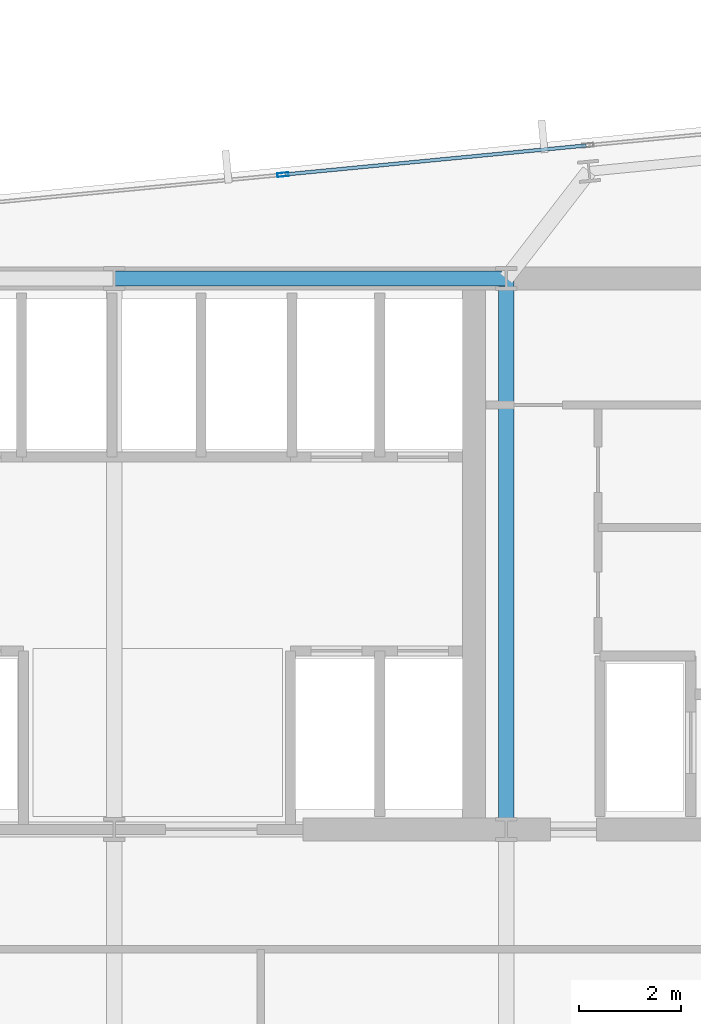
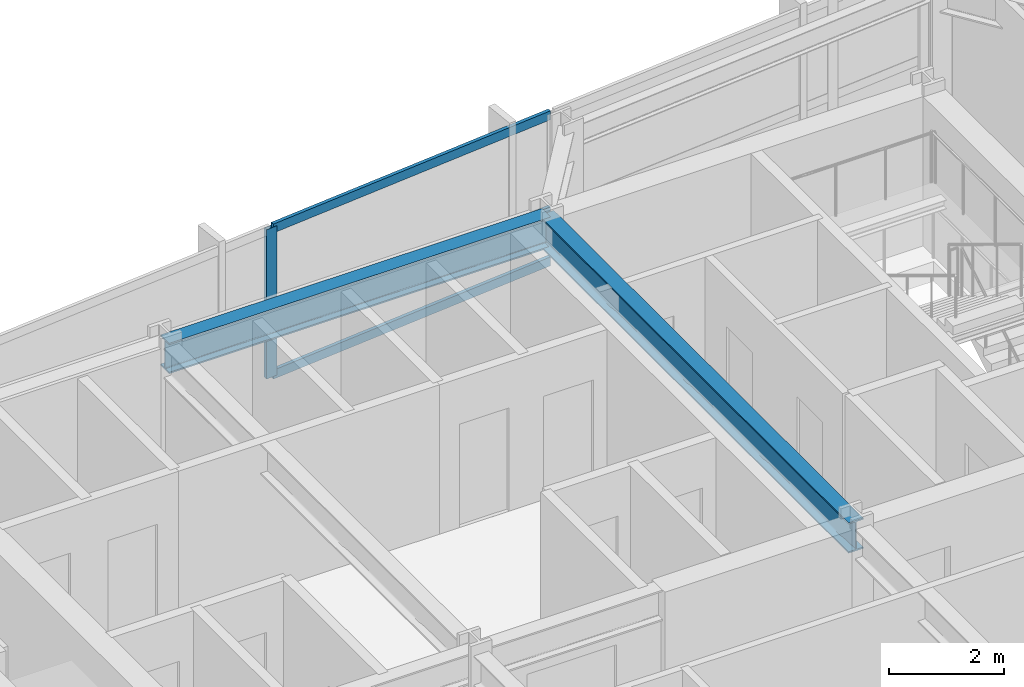
# One storey, part 20 of 33: 4 members, 2 beams, 1 element without a shape of its own.
"""IFC4 building model written with IfcOpenShell, lengths in metres."""

from ifc_helpers import new_model, si_unit, direction, frame, origin, origin_2d, place, context, subcontext, project, spatial, hollow_rectangle, i_section, extrude, material, material_profile, profile_set, type_object, element, aggregate, save


model = new_model("IFC4")

# Units and contexts
model_context = context("Model", 3, precision=1e-05, world=origin(), true_north=direction((0.0, 1.0)))
body_context = subcontext(model_context, "Body", "Model", "MODEL_VIEW")
ifc_project = project(units=[si_unit("LENGTHUNIT", "METRE"), si_unit("AREAUNIT", "SQUARE_METRE"), si_unit("VOLUMEUNIT", "CUBIC_METRE"), si_unit("PLANEANGLEUNIT", "RADIAN"), si_unit("MASSUNIT", "GRAM", prefix="KILO")], contexts=[model_context])

# Site, building, storey
site_placement = place(None, origin())
site = spatial("IfcSite", under=ifc_project, at=site_placement, CompositionType="ELEMENT")
building_placement = place(site_placement, origin())
building = spatial("IfcBuilding", under=site, at=building_placement, Name="Yelkora Congress Tower", CompositionType="ELEMENT")
storey_placement = place(building_placement, frame((0.0, 0.0, 89.699951171875)))
storey = spatial("IfcBuildingStorey", under=building, at=storey_placement, Name="L23", CompositionType="ELEMENT", Elevation=89.699951171875)

# Beams
ifc_material_1 = material(Name="Steel S355J2", Category="steel")
ifc_material_profile_1 = material_profile(ifc_material_1, i_section(OverallWidth=0.300048828125, OverallDepth=0.64990234375, WebThickness=0.01611328125, FlangeThickness=0.031005859375, FilletRadius=0.027099609375, at=origin_2d()), Name="HEB 650")
ifc_profile_set_1 = profile_set([ifc_material_profile_1], Name="Steel S355J2")
beam_type = type_object("IfcBeamType", Name="BM-GIRD-HEB650", PredefinedType="BEAM", material=ifc_profile_set_1)
beam_1_placement = place(storey_placement, frame((38.39990234375, 46.199951171875, 2.85498046875), z_axis=(1.0, 0.0, 0.0), x_axis=(0.0, 1.0, 0.0)))
element("IfcBeam", 1, at=beam_1_placement, inside=storey, type_object=beam_type, Name="L23 Core North Girder 4", PredefinedType="BEAM", context=body_context, shape_type="SweptSolid", body=[
    extrude(i_section(OverallWidth=0.300048828125, OverallDepth=0.64990234375, WebThickness=0.01611328125, FlangeThickness=0.031005859375, FilletRadius=0.027099609375, at=origin_2d()), origin(), (0.0, 0.0, 1.0), 7.68017578125),
])
beam_2_placement = place(storey_placement, frame((46.080078125, 35.39990234375, 2.85498046875), z_axis=(0.0, 1.0, 0.0), x_axis=(-1.0, 0.0, 0.0)))
element("IfcBeam", 2, at=beam_2_placement, inside=storey, type_object=beam_type, Name="L23 Core Tie Girder MC-S4", PredefinedType="BEAM", context=body_context, shape_type="SweptSolid", body=[
    extrude(i_section(OverallWidth=0.300048828125, OverallDepth=0.64990234375, WebThickness=0.01611328125, FlangeThickness=0.031005859375, FilletRadius=0.027099609375, at=origin_2d()), origin(), (0.0, 0.0, 1.0), 10.800048828125),
])

# Curtain wall, members
ifc_material_2 = material(Name="Anodised aluminium and insulated glass", Category="aluminium")
curtain_wall_type = type_object("IfcCurtainWallType", Name="CW-SYS-SKY", PredefinedType="NOTDEFINED", material=ifc_material_2)
curtain_wall_placement = place(storey_placement, origin())
curtain_wall = element("IfcCurtainWall", 3, at=curtain_wall_placement, inside=storey, type_object=curtain_wall_type, Name="L23 Unitised Curtain Wall 10 (3)", PredefinedType="NOTDEFINED")
ifc_material_3 = material(Name="Anodised aluminium 6063-T6", Category="aluminium")
ifc_material_profile_2 = material_profile(ifc_material_3, hollow_rectangle(XDim=0.074951171875, YDim=0.219970703125, WallThickness=0.0048828125, at=origin_2d()), Name="ALU 75x220x5")
ifc_profile_set_2 = profile_set([ifc_material_profile_2], Name="Anodised aluminium 6063-T6")
member_type_1 = type_object("IfcMemberType", Name="MEM-ML-SKY", PredefinedType="MULLION", material=ifc_profile_set_2)
member_1_placement = place(storey_placement, frame((41.704345703125, 48.235107421875, 0.0), z_axis=(0.0, 0.0, 1.0), x_axis=(-0.095845465919, 0.995396225964, 0.0)))
member_1 = element("IfcMember", 4, at=member_1_placement, type_object=member_type_1, Name="CW-SKY mullion 4", PredefinedType="MULLION", context=body_context, shape_type="SweptSolid", body=[
    extrude(hollow_rectangle(XDim=0.074951171875, YDim=0.219970703125, WallThickness=0.0048828125, at=origin_2d()), origin(), (0.0, 0.0, 1.0), 3.179931640625),
])
ifc_material_profile_3 = material_profile(ifc_material_3, hollow_rectangle(XDim=0.070068359375, YDim=0.18994140625, WallThickness=0.00390625, at=origin_2d()), Name="ALU 70x190x4")
ifc_profile_set_3 = profile_set([ifc_material_profile_3], Name="Anodised aluminium 6063-T6")
member_type_2 = type_object("IfcMemberType", Name="MEM-TR-SKY", PredefinedType="USERDEFINED", material=ifc_profile_set_3)
member_2_placement = place(storey_placement, frame((41.74169921875, 48.23876953125, 0.03515625), z_axis=(0.995395073872, 0.095857430135, 0.0), x_axis=(-0.095857430135, 0.995395073872, 0.0)))
member_2 = element("IfcMember", 5, at=member_2_placement, type_object=member_type_2, Name="CW-SKY transom 4.1", ObjectType="TRANSOM", PredefinedType="USERDEFINED", context=body_context, shape_type="SweptSolid", body=[
    extrude(hollow_rectangle(XDim=0.070068359375, YDim=0.18994140625, WallThickness=0.00390625, at=origin_2d()), origin(), (0.0, 0.0, 1.0), 5.934326171875),
])
member_3_placement = place(storey_placement, frame((41.74169921875, 48.23876953125, 1.10009765625), z_axis=(0.995395073872, 0.095857430135, 0.0), x_axis=(-0.095857430135, 0.995395073872, 0.0)))
member_3 = element("IfcMember", 6, at=member_3_placement, type_object=member_type_2, Name="CW-SKY transom 4.2", ObjectType="TRANSOM", PredefinedType="USERDEFINED", context=body_context, shape_type="SweptSolid", body=[
    extrude(hollow_rectangle(XDim=0.070068359375, YDim=0.18994140625, WallThickness=0.00390625, at=origin_2d()), origin(), (0.0, 0.0, 1.0), 5.934326171875),
])
member_4_placement = place(storey_placement, frame((41.74169921875, 48.23876953125, 3.14501953125), z_axis=(0.995395073872, 0.095857430135, 0.0), x_axis=(-0.095857430135, 0.995395073872, 0.0)))
member_4 = element("IfcMember", 7, at=member_4_placement, type_object=member_type_2, Name="CW-SKY transom 4.3", ObjectType="TRANSOM", PredefinedType="USERDEFINED", context=body_context, shape_type="SweptSolid", body=[
    extrude(hollow_rectangle(XDim=0.070068359375, YDim=0.18994140625, WallThickness=0.00390625, at=origin_2d()), origin(), (0.0, 0.0, 1.0), 5.934326171875),
])
aggregate(curtain_wall, [member_1, member_2, member_3, member_4])

save(model, "model.ifc")
